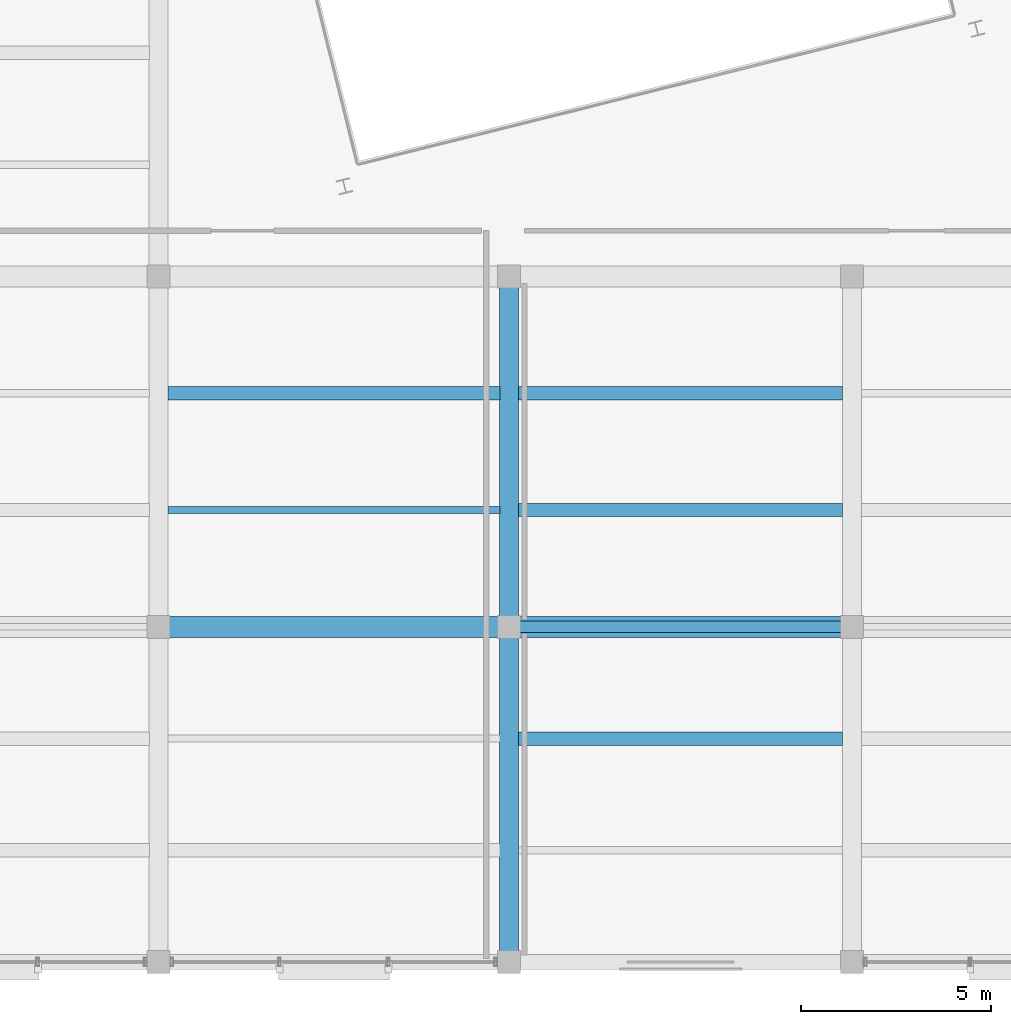
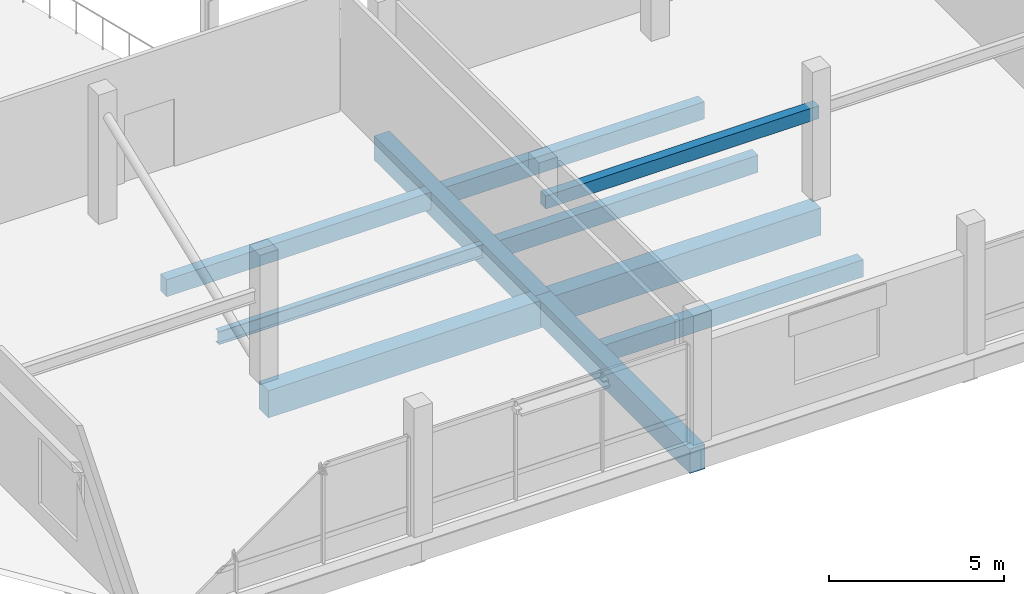
# One storey, part 25 of 77: 10 beams.
"""IFC4 building model written with IfcOpenShell, lengths in metres."""

from ifc_helpers import new_model, si_unit, direction, frame, origin, origin_2d, place, context, subcontext, project, spatial, rectangle, i_section, extrude, material, material_profile, profile_set, type_object, element, save


model = new_model("IFC4")

# Units and contexts
model_context = context("Model", 3, precision=1e-05, world=origin(), true_north=direction((0.0, 1.0)))
body_context = subcontext(model_context, "Body", "Model", "MODEL_VIEW")
ifc_project = project(units=[si_unit("LENGTHUNIT", "METRE"), si_unit("AREAUNIT", "SQUARE_METRE"), si_unit("VOLUMEUNIT", "CUBIC_METRE"), si_unit("PLANEANGLEUNIT", "RADIAN"), si_unit("MASSUNIT", "GRAM", prefix="KILO")], contexts=[model_context])

# Site, building, storey
site_placement = place(None, origin())
site = spatial("IfcSite", under=ifc_project, at=site_placement, CompositionType="ELEMENT")
building_placement = place(site_placement, origin())
building = spatial("IfcBuilding", under=site, at=building_placement, Name="Meriwether Solvik Hall", CompositionType="ELEMENT")
storey_placement = place(building_placement, frame((0.0, 0.0, 9.89990234375)))
storey = spatial("IfcBuildingStorey", under=building, at=storey_placement, Name="L02", CompositionType="ELEMENT", Elevation=9.89990234375)

# Beams
ifc_material_1 = material(Name="Concrete C40/50", Category="concrete")
ifc_material_profile_1 = material_profile(ifc_material_1, rectangle(XDim=0.300048828125, YDim=0.449951171875, at=origin_2d()), Name="RCB-300X450")
ifc_profile_set_1 = profile_set([ifc_material_profile_1], Name="Concrete C40/50")
beam_type_1 = type_object("IfcBeamType", Name="BM-RC-300X450", PredefinedType="LINTEL", material=ifc_profile_set_1)
beam_1_placement = place(storey_placement, frame((77.800048828125, 14.0, 2.925048828125), z_axis=(1.0, 0.0, 0.0), x_axis=(0.0, 1.0, 0.0)))
element("IfcBeam", 1, at=beam_1_placement, inside=storey, type_object=beam_type_1, Name="Galleria Portal Lintel B:9-10 (L02)", PredefinedType="LINTEL", context=body_context, shape_type="SweptSolid", body=[
    extrude(rectangle(XDim=0.300048828125, YDim=0.449951171875, at=origin_2d()), origin(), (0.0, 0.0, 1.0), 9.0),
])
ifc_material_2 = material(Name="Concrete C40/50", Category="concrete")
ifc_material_profile_2 = material_profile(ifc_material_2, rectangle(XDim=0.35009765625, YDim=0.60009765625, at=origin_2d()), Name="RCB-350X600")
ifc_profile_set_2 = profile_set([ifc_material_profile_2], Name="Concrete C40/50")
beam_type_2 = type_object("IfcBeamType", Name="BM-RC-350X600", PredefinedType="JOIST", material=ifc_profile_set_2)
beam_2_placement = place(storey_placement, frame((68.844970703125, 20.13330078125, -0.6298828125), z_axis=(1.0, 0.0, 0.0), x_axis=(0.0, 1.0, 0.0)))
element("IfcBeam", 2, at=beam_2_placement, inside=storey, type_object=beam_type_2, Name="Secondary Floor Joist 8/B_J2 (L02)", PredefinedType="JOIST", context=body_context, shape_type="SweptSolid", body=[
    extrude(rectangle(XDim=0.35009765625, YDim=0.60009765625, at=origin_2d()), origin(), (0.0, 0.0, 1.0), 8.7099609375),
])
for number, where, z_axis, x_axis, name in (
    (3, (78.044921875, 11.066650390625, -0.6298828125), (1.0, 0.0, 0.0), (0.0, 1.0, 0.0), "Secondary Floor Joist 9/A_J2 (L02)"),
    (4, (78.044921875, 17.066650390625, -0.6298828125), (1.0, 0.0, 0.0), (0.0, 1.0, 0.0), "Secondary Floor Joist 9/B_J1 (L02)"),
    (5, (78.044921875, 20.13330078125, -0.6298828125), (1.0, 0.0, 0.0), (0.0, 1.0, 0.0), "Secondary Floor Joist 9/B_J2 (L02)"),
):
    element("IfcBeam", number, at=place(storey_placement, frame(where, z_axis=z_axis, x_axis=x_axis)), inside=storey, type_object=beam_type_2, Name=name, PredefinedType="JOIST", context=body_context, shape_type="SweptSolid", body=[
        extrude(rectangle(XDim=0.35009765625, YDim=0.60009765625, at=origin_2d()), origin(), (0.0, 0.0, 1.0), 8.510009765625),
    ])
ifc_material_3 = material(Name="Concrete C40/50", Category="concrete")
ifc_material_profile_3 = material_profile(ifc_material_3, rectangle(XDim=0.5, YDim=0.85009765625, at=origin_2d()), Name="RCB-500X850")
ifc_profile_set_3 = profile_set([ifc_material_profile_3], Name="Concrete C40/50")
beam_type_3 = type_object("IfcBeamType", Name="BM-RC-500X850", PredefinedType="BEAM", material=ifc_profile_set_3)
beam_3_placement = place(storey_placement, frame((77.800048828125, 5.199951171875, -0.7548828125), z_axis=(0.0, 1.0, 0.0), x_axis=(-1.0, 0.0, 0.0)))
element("IfcBeam", 6, at=beam_3_placement, inside=storey, type_object=beam_type_3, Name="Podium Girder 9:A-B (L02)", PredefinedType="BEAM", context=body_context, shape_type="SweptSolid", body=[
    extrude(rectangle(XDim=0.5, YDim=0.85009765625, at=origin_2d()), origin(), (0.0, 0.0, 1.0), 8.800048828125),
])
beam_4_placement = place(storey_placement, frame((77.800048828125, 14.0, -0.7548828125), z_axis=(0.0, 1.0, 0.0), x_axis=(-1.0, 0.0, 0.0)))
element("IfcBeam", 7, at=beam_4_placement, inside=storey, type_object=beam_type_3, Name="Podium Girder 9:B-C (L02)", PredefinedType="BEAM", context=body_context, shape_type="SweptSolid", body=[
    extrude(rectangle(XDim=0.5, YDim=0.85009765625, at=origin_2d()), origin(), (0.0, 0.0, 1.0), 9.199951171875),
])
ifc_material_4 = material(Name="Concrete C40/50", Category="concrete")
ifc_material_profile_4 = material_profile(ifc_material_4, rectangle(XDim=0.550048828125, YDim=0.949951171875, at=origin_2d()), Name="RCB-550X950")
ifc_profile_set_4 = profile_set([ifc_material_profile_4], Name="Concrete C40/50")
beam_type_4 = type_object("IfcBeamType", Name="BM-RC-550X950", PredefinedType="BEAM", material=ifc_profile_set_4)
beam_5_placement = place(storey_placement, frame((68.60009765625, 14.0, -0.804931640625), z_axis=(1.0, 0.0, 0.0), x_axis=(0.0, 1.0, 0.0)))
element("IfcBeam", 8, at=beam_5_placement, inside=storey, type_object=beam_type_4, Name="Podium Girder B:8-9 (L02)", PredefinedType="BEAM", context=body_context, shape_type="SweptSolid", body=[
    extrude(rectangle(XDim=0.550048828125, YDim=0.949951171875, at=origin_2d()), origin(), (0.0, 0.0, 1.0), 9.199951171875),
])
beam_6_placement = place(storey_placement, frame((77.800048828125, 14.0, -0.804931640625), z_axis=(1.0, 0.0, 0.0), x_axis=(0.0, 1.0, 0.0)))
element("IfcBeam", 9, at=beam_6_placement, inside=storey, type_object=beam_type_4, Name="Podium Girder B:9-10 (L02)", PredefinedType="BEAM", context=body_context, shape_type="SweptSolid", body=[
    extrude(rectangle(XDim=0.550048828125, YDim=0.949951171875, at=origin_2d()), origin(), (0.0, 0.0, 1.0), 9.0),
])
ifc_material_5 = material(Name="Steel A992 Grade 50", Category="steel")
ifc_material_profile_5 = material_profile(ifc_material_5, i_section(OverallWidth=0.19091796875, OverallDepth=0.45703125, WebThickness=0.009033203125, FlangeThickness=0.014404296875, at=origin_2d()), Name="W18X50")
ifc_profile_set_5 = profile_set([ifc_material_profile_5], Name="Steel A992 Grade 50")
beam_type_5 = type_object("IfcBeamType", Name="BM-STL-W18X50", PredefinedType="JOIST", material=ifc_profile_set_5)
beam_7_placement = place(storey_placement, frame((68.844970703125, 17.066650390625, -0.558349609375), z_axis=(1.0, 0.0, 0.0), x_axis=(0.0, 1.0, 0.0)))
element("IfcBeam", 10, at=beam_7_placement, inside=storey, type_object=beam_type_5, Name="Secondary Floor Joist 8/B_J1 (L02)", PredefinedType="JOIST", context=body_context, shape_type="SweptSolid", body=[
    extrude(i_section(OverallWidth=0.19091796875, OverallDepth=0.45703125, WebThickness=0.009033203125, FlangeThickness=0.014404296875, at=origin_2d()), origin(), (0.0, 0.0, 1.0), 8.7099609375),
])

save(model, "model.ifc")
